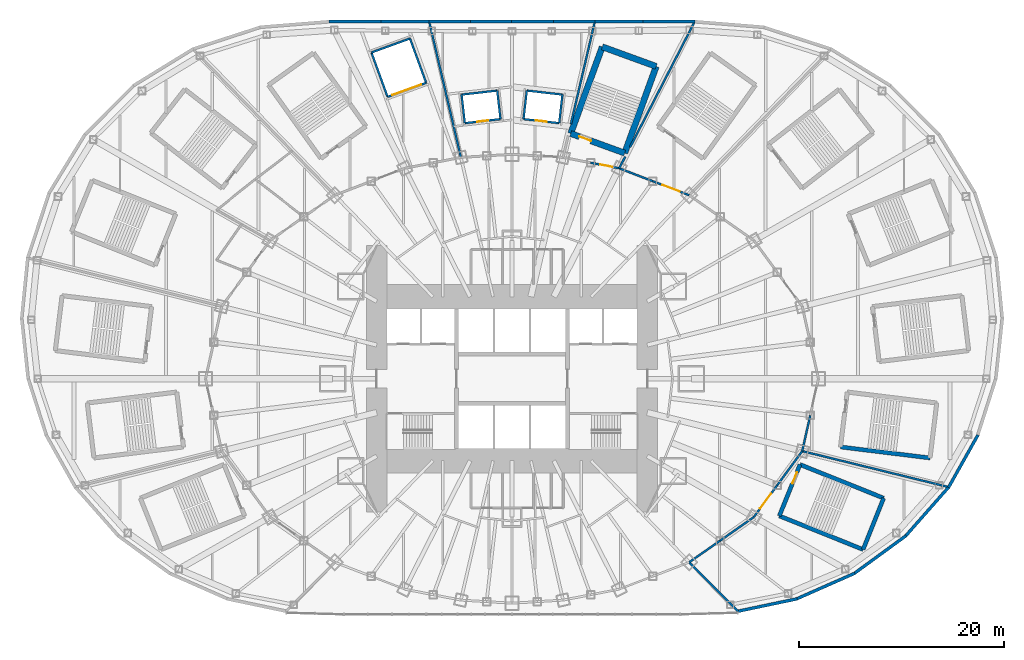
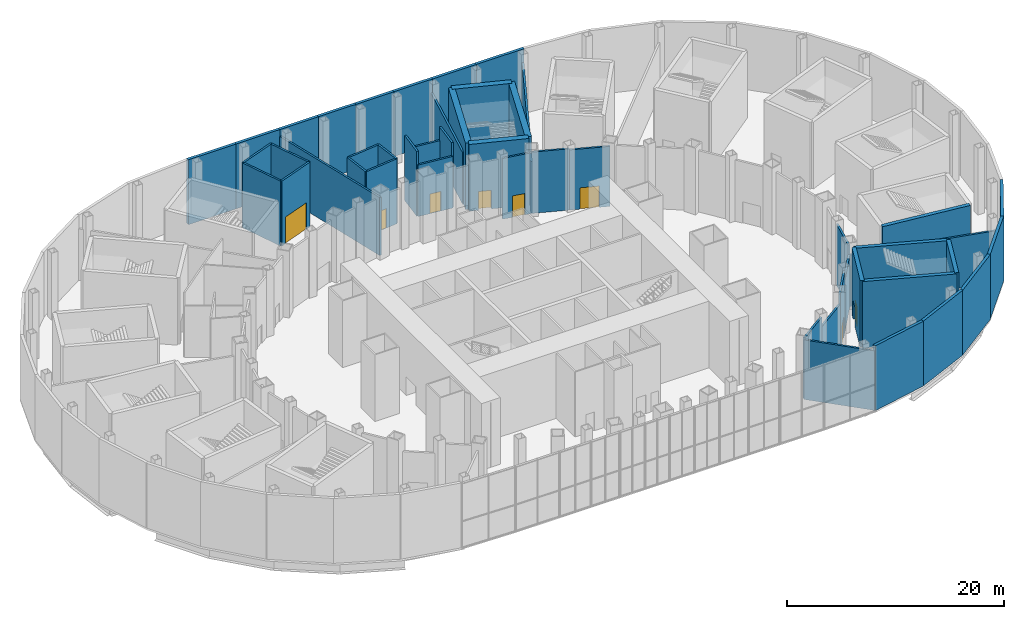
# One storey, part 16 of 73: 48 walls, 8 doors, 8 openings.
"""IFC4 building model written with IfcOpenShell, lengths in metres."""

from ifc_helpers import new_model, si_unit, direction, frame, frame_2d, origin, place, context, subcontext, project, spatial, rectangle, extrude, material, layer, layer_set, type_object, element, fill, save


model = new_model("IFC4")

# Units and contexts
model_context = context("Model", 3, precision=1e-05, world=origin(), true_north=direction((0.0, 1.0)))
body_context = subcontext(model_context, "Body", "Model", "MODEL_VIEW")
ifc_project = project(units=[si_unit("LENGTHUNIT", "METRE"), si_unit("AREAUNIT", "SQUARE_METRE"), si_unit("VOLUMEUNIT", "CUBIC_METRE"), si_unit("PLANEANGLEUNIT", "RADIAN"), si_unit("MASSUNIT", "GRAM", prefix="KILO")], contexts=[model_context])

# Site, building, storey
site_placement = place(None, origin())
site = spatial("IfcSite", under=ifc_project, at=site_placement, CompositionType="ELEMENT")
building_placement = place(site_placement, origin())
building = spatial("IfcBuilding", under=site, at=building_placement, Name="Lantaw Convention Tower", CompositionType="ELEMENT")
storey_placement = place(building_placement, frame((0.0, 0.0, 14.5)))
storey = spatial("IfcBuildingStorey", under=building, at=storey_placement, Name="L02", CompositionType="ELEMENT", Elevation=14.5)

# Walls
ifc_material_1 = material(Name="Concrete blockwork, fire rated", Category="masonry")
ifc_layer_1 = layer(ifc_material_1, 0.199951171875)
ifc_layer_set_1 = layer_set([ifc_layer_1], Name="Lift shaft wall 200 EI 120")
wall_type_1 = type_object("IfcWallType", Name="Lift shaft wall 200 EI 120", PredefinedType="SOLIDWALL", material=ifc_layer_set_1)
wall_1_placement = place(storey_placement, frame((4.602783203125, 24.939208984375, 0.0), z_axis=(0.0, 0.0, 1.0), x_axis=(0.113177712989, 0.993574760792, 0.0)))
element("IfcWall", 1, at=wall_1_placement, inside=storey, type_object=wall_type_1, Name="Lift shaft wall", PredefinedType="SOLIDWALL", context=body_context, shape_type="SweptSolid", body=[
    extrude(rectangle(XDim=2.800048828125, YDim=0.199951171875, at=frame_2d((1.39990234375, 0.0))), origin(), (0.0, 0.0, 1.0), 7.300048828125),
])
wall_2_placement = place(storey_placement, frame((4.919677734375, 27.72119140625, 0.0), z_axis=(0.0, 0.0, 1.0), x_axis=(-0.993571061716, 0.113210182053, 0.0)))
element("IfcWall", 2, at=wall_2_placement, inside=storey, type_object=wall_type_1, Name="Lift shaft wall", PredefinedType="SOLIDWALL", context=body_context, shape_type="SweptSolid", body=[
    extrude(rectangle(XDim=3.5, YDim=0.199951171875, at=frame_2d((1.75, 0.0))), origin(), (0.0, 0.0, 1.0), 5.800048828125),
])
wall_3_placement = place(storey_placement, frame((1.442138671875, 28.117431640625, 0.0), z_axis=(0.0, 0.0, 1.0), x_axis=(-0.113177712989, -0.993574760792, 0.0)))
element("IfcWall", 3, at=wall_3_placement, inside=storey, type_object=wall_type_1, Name="Lift shaft wall", PredefinedType="SOLIDWALL", context=body_context, shape_type="SweptSolid", body=[
    extrude(rectangle(XDim=2.800048828125, YDim=0.199951171875, at=frame_2d((1.39990234375, 0.0))), origin(), (0.0, 0.0, 1.0), 7.300048828125),
])

# Wall, opening, door
wall_4_placement = place(storey_placement, frame((1.125244140625, 25.33544921875, 0.0), z_axis=(0.0, 0.0, 1.0), x_axis=(0.993571061716, -0.113210182053, 0.0)))
wall_4 = element("IfcWall", 4, at=wall_4_placement, inside=storey, type_object=wall_type_1, Name="Lift shaft wall", PredefinedType="SOLIDWALL", context=body_context, shape_type="SweptSolid", body=[
    extrude(rectangle(XDim=3.5, YDim=0.199951171875, at=frame_2d((1.75, 0.0))), origin(), (0.0, 0.0, 1.0), 5.800048828125),
])
opening_1_placement = place(wall_4_placement, frame((1.199951171875, 0.0, 0.0)))
opening_1 = element("IfcOpeningElement", 5, at=opening_1_placement, cuts=wall_4, Name="Opening LDPL1", PredefinedType="OPENING", context=body_context, shape_type="SweptSolid", body=[
    extrude(rectangle(XDim=1.10009765625, YDim=2.199951171875, at=frame_2d((0.550048828125, 1.10009765625))), frame((0.0, 0.10986328125, 0.0), z_axis=(0.0, -1.0, 0.0), x_axis=(1.0, 0.0, 0.0)), (0.0, 0.0, 1.0), 0.219970703125),
])
ifc_material_2 = material(Name="Stainless steel", Category="steel")
door_type_1 = type_object("IfcDoorType", Name="Lift landing door 1100", OperationType="DOUBLE_DOOR_SLIDING", PredefinedType="DOOR", material=ifc_material_2)
door_1_placement = place(opening_1_placement, origin())
door_1 = element("IfcDoor", 6, at=door_1_placement, inside=storey, type_object=door_type_1, Name="Lift landing door PL1", OperationType="DOUBLE_DOOR_SLIDING", OverallHeight=2.199951171875, OverallWidth=1.10009765625, PredefinedType="DOOR", context=body_context, shape_type="SweptSolid", body=[
    extrude(rectangle(XDim=1.10009765625, YDim=2.199951171875, at=frame_2d((0.550048828125, 1.10009765625))), frame((0.0, 0.02490234375, 0.0), z_axis=(0.0, -1.0, 0.0), x_axis=(1.0, 0.0, 0.0)), (0.0, 0.0, 1.0), 0.050048828125),
])
fill(opening_1, door_1)

# Walls
wall_5_placement = place(storey_placement, frame((-1.125244140625, 25.33544921875, 0.0), z_axis=(0.0, 0.0, 1.0), x_axis=(-0.113177712989, 0.993574760792, 0.0)))
element("IfcWall", 7, at=wall_5_placement, inside=storey, type_object=wall_type_1, Name="Lift shaft wall", PredefinedType="SOLIDWALL", context=body_context, shape_type="SweptSolid", body=[
    extrude(rectangle(XDim=2.800048828125, YDim=0.199951171875, at=frame_2d((1.39990234375, 0.0))), origin(), (0.0, 0.0, 1.0), 7.300048828125),
])
wall_6_placement = place(storey_placement, frame((-1.442138671875, 28.117431640625, 0.0), z_axis=(0.0, 0.0, 1.0), x_axis=(-0.993571061716, -0.113210182053, 0.0)))
element("IfcWall", 8, at=wall_6_placement, inside=storey, type_object=wall_type_1, Name="Lift shaft wall", PredefinedType="SOLIDWALL", context=body_context, shape_type="SweptSolid", body=[
    extrude(rectangle(XDim=3.5, YDim=0.199951171875, at=frame_2d((1.75, 0.0))), origin(), (0.0, 0.0, 1.0), 7.300048828125),
])
wall_7_placement = place(storey_placement, frame((-4.919677734375, 27.72119140625, 0.0), z_axis=(0.0, 0.0, 1.0), x_axis=(0.113177712989, -0.993574760792, 0.0)))
element("IfcWall", 9, at=wall_7_placement, inside=storey, type_object=wall_type_1, Name="Lift shaft wall", PredefinedType="SOLIDWALL", context=body_context, shape_type="SweptSolid", body=[
    extrude(rectangle(XDim=2.800048828125, YDim=0.199951171875, at=frame_2d((1.39990234375, 0.0))), origin(), (0.0, 0.0, 1.0), 7.300048828125),
])

# Wall, opening, door
wall_8_placement = place(storey_placement, frame((-4.602783203125, 24.939208984375, 0.0), z_axis=(0.0, 0.0, 1.0), x_axis=(0.993571061716, 0.113210182053, 0.0)))
wall_8 = element("IfcWall", 10, at=wall_8_placement, inside=storey, type_object=wall_type_1, Name="Lift shaft wall", PredefinedType="SOLIDWALL", context=body_context, shape_type="SweptSolid", body=[
    extrude(rectangle(XDim=3.5, YDim=0.199951171875, at=frame_2d((1.75, 0.0))), origin(), (0.0, 0.0, 1.0), 7.300048828125),
])
opening_2_placement = place(wall_8_placement, frame((1.199951171875, 0.0, 0.0)))
opening_2 = element("IfcOpeningElement", 11, at=opening_2_placement, cuts=wall_8, Name="Opening LDPL2", PredefinedType="OPENING", context=body_context, shape_type="SweptSolid", body=[
    extrude(rectangle(XDim=1.10009765625, YDim=2.199951171875, at=frame_2d((0.550048828125, 1.10009765625))), frame((0.0, 0.10986328125, 0.0), z_axis=(0.0, -1.0, 0.0), x_axis=(1.0, 0.0, 0.0)), (0.0, 0.0, 1.0), 0.219970703125),
])
door_2_placement = place(opening_2_placement, origin())
door_2 = element("IfcDoor", 12, at=door_2_placement, inside=storey, type_object=door_type_1, Name="Lift landing door PL2", OperationType="DOUBLE_DOOR_SLIDING", OverallHeight=2.199951171875, OverallWidth=1.10009765625, PredefinedType="DOOR", context=body_context, shape_type="SweptSolid", body=[
    extrude(rectangle(XDim=1.10009765625, YDim=2.199951171875, at=frame_2d((0.550048828125, 1.10009765625))), frame((0.0, 0.02490234375, 0.0), z_axis=(0.0, -1.0, 0.0), x_axis=(1.0, 0.0, 0.0)), (0.0, 0.0, 1.0), 0.050048828125),
])
fill(opening_2, door_2)

# Walls
wall_9_placement = place(storey_placement, frame((-8.381103515625, 28.874755859375, 0.0), z_axis=(0.0, 0.0, 1.0), x_axis=(-0.342045591466, 0.93968335803, 0.0)))
element("IfcWall", 13, at=wall_9_placement, inside=storey, type_object=wall_type_1, Name="Lift shaft wall", PredefinedType="SOLIDWALL", context=body_context, shape_type="SweptSolid", body=[
    extrude(rectangle(XDim=4.600341796875, YDim=0.199951171875, at=frame_2d((2.30029296875, 0.0))), origin(), (0.0, 0.0, 1.0), 7.300048828125),
])
wall_10_placement = place(storey_placement, frame((-9.95458984375, 33.197509765625, 0.0), z_axis=(0.0, 0.0, 1.0), x_axis=(-0.939686455819, -0.342037080957, 0.0)))
element("IfcWall", 14, at=wall_10_placement, inside=storey, type_object=wall_type_1, Name="Lift shaft wall", PredefinedType="SOLIDWALL", context=body_context, shape_type="SweptSolid", body=[
    extrude(rectangle(XDim=4.0, YDim=0.199951171875, at=frame_2d((2.0, 0.0))), origin(), (0.0, 0.0, 1.0), 7.300048828125),
])
wall_11_placement = place(storey_placement, frame((-13.71337890625, 31.829345703125, 0.0), z_axis=(0.0, 0.0, 1.0), x_axis=(0.342062650202, -0.939677148459, 0.0)))
element("IfcWall", 15, at=wall_11_placement, inside=storey, type_object=wall_type_1, Name="Lift shaft wall", PredefinedType="SOLIDWALL", context=body_context, shape_type="SweptSolid", body=[
    extrude(rectangle(XDim=4.60009765625, YDim=0.199951171875, at=frame_2d((2.300048828125, 0.0))), origin(), (0.0, 0.0, 1.0), 7.300048828125),
])

# Wall, opening, door
wall_12_placement = place(storey_placement, frame((-12.139892578125, 27.5068359375, 0.0), z_axis=(0.0, 0.0, 1.0), x_axis=(0.939706071622, 0.341983185197, 0.0)))
wall_12 = element("IfcWall", 16, at=wall_12_placement, inside=storey, type_object=wall_type_1, Name="Lift shaft wall", PredefinedType="SOLIDWALL", context=body_context, shape_type="SweptSolid", body=[
    extrude(rectangle(XDim=4.0, YDim=0.199951171875, at=frame_2d((2.0, 0.0))), origin(), (0.0, 0.0, 1.0), 7.300048828125),
])
opening_3_placement = place(wall_12_placement, frame((0.5, 0.0, 0.0)))
opening_3 = element("IfcOpeningElement", 17, at=opening_3_placement, cuts=wall_12, Name="Opening LDGL1", PredefinedType="OPENING", context=body_context, shape_type="SweptSolid", body=[
    extrude(rectangle(XDim=3.0, YDim=3.0, at=frame_2d((1.5, 1.5))), frame((0.0, 0.10986328125, 0.0), z_axis=(0.0, -1.0, 0.0), x_axis=(1.0, 0.0, 0.0)), (0.0, 0.0, 1.0), 0.219970703125),
])
door_type_2 = type_object("IfcDoorType", Name="Lift landing door 3000", OperationType="DOUBLE_DOOR_SLIDING", PredefinedType="DOOR", material=ifc_material_2)
door_3_placement = place(opening_3_placement, origin())
door_3 = element("IfcDoor", 18, at=door_3_placement, inside=storey, type_object=door_type_2, Name="Lift landing door GL1", OperationType="DOUBLE_DOOR_SLIDING", OverallHeight=3.0, OverallWidth=3.0, PredefinedType="DOOR", context=body_context, shape_type="SweptSolid", body=[
    extrude(rectangle(XDim=3.0, YDim=3.0, at=frame_2d((1.5, 1.5))), frame((0.0, 0.02490234375, 0.0), z_axis=(0.0, -1.0, 0.0), x_axis=(1.0, 0.0, 0.0)), (0.0, 0.0, 1.0), 0.050048828125),
])
fill(opening_3, door_3)

# Walls
ifc_material_3 = material(Name="Precast concrete panel, pale aluminium rainscreen", Category="concrete")
ifc_layer_2 = layer(ifc_material_3, 0.300048828125)
ifc_layer_set_2 = layer_set([ifc_layer_2], Name="Podium external wall 300")
wall_type_2 = type_object("IfcWallType", Name="Podium external wall 300", PredefinedType="SOLIDWALL", material=ifc_layer_set_2)
wall_13_placement = place(storey_placement, frame((17.873291015625, 34.85009765625, 0.0), z_axis=(0.0, 0.0, 1.0), x_axis=(-1.0, 0.0, 0.0)))
element("IfcWall", 19, at=wall_13_placement, inside=storey, type_object=wall_type_2, Name="Podium facade wall", PredefinedType="SOLIDWALL", context=body_context, shape_type="SweptSolid", body=[
    extrude(rectangle(XDim=5.17431640625, YDim=0.300048828125, at=frame_2d((2.587158203125, 0.0))), origin(), (0.0, 0.0, 1.0), 7.300048828125),
])
wall_14_placement = place(storey_placement, frame((12.779052734375, 34.85009765625, 0.0), z_axis=(0.0, 0.0, 1.0), x_axis=(-1.0, 0.0, 0.0)))
element("IfcWall", 20, at=wall_14_placement, inside=storey, type_object=wall_type_2, Name="Podium facade wall", PredefinedType="SOLIDWALL", context=body_context, shape_type="SweptSolid", body=[
    extrude(rectangle(XDim=4.73876953125, YDim=0.300048828125, at=frame_2d((2.369384765625, 0.0))), origin(), (0.0, 0.0, 1.0), 7.300048828125),
])
wall_15_placement = place(storey_placement, frame((8.120361328125, 34.85009765625, 0.0), z_axis=(0.0, 0.0, 1.0), x_axis=(-1.0, 0.0, 0.0)))
element("IfcWall", 21, at=wall_15_placement, inside=storey, type_object=wall_type_2, Name="Podium facade wall", PredefinedType="SOLIDWALL", context=body_context, shape_type="SweptSolid", body=[
    extrude(rectangle(XDim=4.172607421875, YDim=0.300048828125, at=frame_2d((2.08642578125, 0.0))), origin(), (0.0, 0.0, 1.0), 7.300048828125),
])
for number, where, z_axis, x_axis, name in (
    (22, (4.02783203125, 34.85009765625, 0.0), (0.0, 0.0, 1.0), (-1.0, 0.0, 0.0), "Podium facade wall"),
    (23, (0.0400390625, 34.85009765625, 0.0), (0.0, 0.0, 1.0), (-1.0, 0.0, 0.0), "Podium facade wall"),
):
    element("IfcWall", number, at=place(storey_placement, frame(where, z_axis=z_axis, x_axis=x_axis)), inside=storey, type_object=wall_type_2, Name=name, PredefinedType="SOLIDWALL", context=body_context, shape_type="SweptSolid", body=[
        extrude(rectangle(XDim=4.06787109375, YDim=0.300048828125, at=frame_2d((2.033935546875, 0.0))), origin(), (0.0, 0.0, 1.0), 7.300048828125),
    ])
wall_16_placement = place(storey_placement, frame((-3.94775390625, 34.85009765625, 0.0), z_axis=(0.0, 0.0, 1.0), x_axis=(-1.0, 0.0, 0.0)))
element("IfcWall", 24, at=wall_16_placement, inside=storey, type_object=wall_type_2, Name="Podium facade wall", PredefinedType="SOLIDWALL", context=body_context, shape_type="SweptSolid", body=[
    extrude(rectangle(XDim=4.172607421875, YDim=0.300048828125, at=frame_2d((2.08642578125, 0.0))), origin(), (0.0, 0.0, 1.0), 7.300048828125),
])
wall_17_placement = place(storey_placement, frame((-8.040283203125, 34.85009765625, 0.0), z_axis=(0.0, 0.0, 1.0), x_axis=(-1.0, 0.0, 0.0)))
element("IfcWall", 25, at=wall_17_placement, inside=storey, type_object=wall_type_2, Name="Podium facade wall", PredefinedType="SOLIDWALL", context=body_context, shape_type="SweptSolid", body=[
    extrude(rectangle(XDim=4.73876953125, YDim=0.300048828125, at=frame_2d((2.369384765625, 0.0))), origin(), (0.0, 0.0, 1.0), 7.300048828125),
])
wall_18_placement = place(storey_placement, frame((-12.698974609375, 34.85009765625, 0.0), z_axis=(0.0, 0.0, 1.0), x_axis=(-1.0, 0.0, 0.0)))
element("IfcWall", 26, at=wall_18_placement, inside=storey, type_object=wall_type_2, Name="Podium facade wall", PredefinedType="SOLIDWALL", context=body_context, shape_type="SweptSolid", body=[
    extrude(rectangle(XDim=5.17431640625, YDim=0.300048828125, at=frame_2d((2.587158203125, 0.0))), origin(), (0.0, 0.0, 1.0), 7.300048828125),
])
wall_19_placement = place(storey_placement, frame((21.985107421875, -22.699951171875, 0.0), z_axis=(0.0, 0.0, 1.0), x_axis=(0.978625319268, 0.205651366364, 0.0)))
element("IfcWall", 27, at=wall_19_placement, inside=storey, type_object=wall_type_2, Name="Podium facade wall", PredefinedType="SOLIDWALL", context=body_context, shape_type="SweptSolid", body=[
    extrude(rectangle(XDim=5.9619140625, YDim=0.300048828125, at=frame_2d((2.98095703125, 0.0))), origin(), (0.0, 0.0, 1.0), 7.300048828125),
])
wall_20_placement = place(storey_placement, frame((27.714111328125, -21.5078125, 0.0), z_axis=(0.0, 0.0, 1.0), x_axis=(0.914855209389, 0.403782052416, 0.0)))
element("IfcWall", 28, at=wall_20_placement, inside=storey, type_object=wall_type_2, Name="Podium facade wall", PredefinedType="SOLIDWALL", context=body_context, shape_type="SweptSolid", body=[
    extrude(rectangle(XDim=6.271240234375, YDim=0.300048828125, at=frame_2d((3.1357421875, 0.0))), origin(), (0.0, 0.0, 1.0), 7.300048828125),
])
wall_21_placement = place(storey_placement, frame((33.354736328125, -19.03125, 0.0), z_axis=(0.0, 0.0, 1.0), x_axis=(0.807898511933, 0.589321639189, 0.0)))
element("IfcWall", 29, at=wall_21_placement, inside=storey, type_object=wall_type_2, Name="Podium facade wall", PredefinedType="SOLIDWALL", context=body_context, shape_type="SweptSolid", body=[
    extrude(rectangle(XDim=6.30859375, YDim=0.300048828125, at=frame_2d((3.154296875, 0.0))), origin(), (0.0, 0.0, 1.0), 7.300048828125),
])
wall_22_placement = place(storey_placement, frame((38.368408203125, -15.38916015625, 0.0), z_axis=(0.0, 0.0, 1.0), x_axis=(0.661196672464, 0.75021261008, 0.0)))
element("IfcWall", 30, at=wall_22_placement, inside=storey, type_object=wall_type_2, Name="Podium facade wall", PredefinedType="SOLIDWALL", context=body_context, shape_type="SweptSolid", body=[
    extrude(rectangle(XDim=6.48095703125, YDim=0.300048828125, at=frame_2d((3.240478515625, 0.0))), origin(), (0.0, 0.0, 1.0), 7.300048828125),
])
wall_23_placement = place(storey_placement, frame((42.58935546875, -10.61767578125, 0.0), z_axis=(0.0, 0.0, 1.0), x_axis=(0.489563544979, 0.871967622924, 0.0)))
element("IfcWall", 31, at=wall_23_placement, inside=storey, type_object=wall_type_2, Name="Podium facade wall", PredefinedType="SOLIDWALL", context=body_context, shape_type="SweptSolid", body=[
    extrude(rectangle(XDim=5.882568359375, YDim=0.300048828125, at=frame_2d((2.94140625, 0.0))), origin(), (0.0, 0.0, 1.0), 7.300048828125),
])

# Wall, opening, door
ifc_material_4 = material(Name="Concrete blockwork", Category="masonry")
ifc_layer_3 = layer(ifc_material_4, 0.199951171875)
ifc_layer_set_3 = layer_set([ifc_layer_3], Name="Podium partition 200")
wall_type_3 = type_object("IfcWallType", Name="Podium partition 200", PredefinedType="SOLIDWALL", material=ifc_layer_set_3)
wall_24_placement = place(storey_placement, frame((17.290771484375, 17.9052734375, 0.0), z_axis=(0.0, 0.0, 1.0), x_axis=(-0.933224646415, 0.359293416754, 0.0)))
wall_24 = element("IfcWall", 32, at=wall_24_placement, inside=storey, type_object=wall_type_3, Name="Podium partition 200", PredefinedType="SOLIDWALL", context=body_context, shape_type="SweptSolid", body=[
    extrude(rectangle(XDim=3.799072265625, YDim=0.199951171875, at=frame_2d((1.8994140625, 0.0))), origin(), (0.0, 0.0, 1.0), 6.76416015625),
])
opening_4_placement = place(wall_24_placement, frame((0.99951171875, 0.0, 0.0)))
opening_4 = element("IfcOpeningElement", 33, at=opening_4_placement, cuts=wall_24, Name="Opening L02.14", PredefinedType="OPENING", context=body_context, shape_type="SweptSolid", body=[
    extrude(rectangle(XDim=1.800048828125, YDim=2.39990234375, at=frame_2d((0.89990234375, 1.199951171875))), frame((0.0, 0.10986328125, 0.0), z_axis=(0.0, -1.0, 0.0), x_axis=(1.0, 0.0, 0.0)), (0.0, 0.0, 1.0), 0.219970703125),
])
ifc_material_5 = material(Name="Timber", Category="wood")
door_type_3 = type_object("IfcDoorType", Name="Hall double door 1800", OperationType="DOUBLE_DOOR_DOUBLE_SWING", PredefinedType="DOOR", material=ifc_material_5)
door_4_placement = place(opening_4_placement, origin())
door_4 = element("IfcDoor", 34, at=door_4_placement, inside=storey, type_object=door_type_3, Name="Ballroom servery door", OperationType="DOUBLE_DOOR_DOUBLE_SWING", OverallHeight=2.39990234375, OverallWidth=1.800048828125, PredefinedType="DOOR", context=body_context, shape_type="SweptSolid", body=[
    extrude(rectangle(XDim=1.800048828125, YDim=2.39990234375, at=frame_2d((0.89990234375, 1.199951171875))), frame((0.0, 0.02490234375, 0.0), z_axis=(0.0, -1.0, 0.0), x_axis=(1.0, 0.0, 0.0)), (0.0, 0.0, 1.0), 0.050048828125),
])
fill(opening_4, door_4)

# Wall
wall_25_placement = place(storey_placement, frame((13.745361328125, 19.270263671875, 0.0), z_axis=(0.0, 0.0, 1.0), x_axis=(-0.933241815012, 0.359248820058, 0.0)))
element("IfcWall", 35, at=wall_25_placement, inside=storey, type_object=wall_type_3, Name="Podium partition 200", PredefinedType="SOLIDWALL", context=body_context, shape_type="SweptSolid", body=[
    extrude(rectangle(XDim=3.517578125, YDim=0.199951171875, at=frame_2d((1.7587890625, 0.0))), origin(), (0.0, 0.0, 1.0), 6.896240234375),
])

# Wall, opening, door
wall_26_placement = place(storey_placement, frame((10.462646484375, 20.533935546875, 0.0), z_axis=(0.0, 0.0, 1.0), x_axis=(-0.98163593748, 0.190763954266, 0.0)))
wall_26 = element("IfcWall", 36, at=wall_26_placement, inside=storey, type_object=wall_type_3, Name="Podium partition 200", PredefinedType="SOLIDWALL", context=body_context, shape_type="SweptSolid", body=[
    extrude(rectangle(XDim=2.84375, YDim=0.199951171875, at=frame_2d((1.421875, 0.0))), origin(), (0.0, 0.0, 1.0), 6.837646484375),
])
opening_5_placement = place(wall_26_placement, frame((0.679931640625, 0.0, 0.0)))
opening_5 = element("IfcOpeningElement", 37, at=opening_5_placement, cuts=wall_26, Name="Opening L02.15", PredefinedType="OPENING", context=body_context, shape_type="SweptSolid", body=[
    extrude(rectangle(XDim=1.199951171875, YDim=2.39990234375, at=frame_2d((0.60009765625, 1.199951171875))), frame((0.0, 0.10986328125, 0.0), z_axis=(0.0, -1.0, 0.0), x_axis=(1.0, 0.0, 0.0)), (0.0, 0.0, 1.0), 0.219970703125),
])
door_type_4 = type_object("IfcDoorType", Name="Hall door 1200", OperationType="SINGLE_SWING_RIGHT", PredefinedType="DOOR", material=ifc_material_5)
door_5_placement = place(opening_5_placement, origin())
door_5 = element("IfcDoor", 38, at=door_5_placement, inside=storey, type_object=door_type_4, Name="Chair and table store door", OperationType="SINGLE_SWING_RIGHT", OverallHeight=2.39990234375, OverallWidth=1.199951171875, PredefinedType="DOOR", context=body_context, shape_type="SweptSolid", body=[
    extrude(rectangle(XDim=1.199951171875, YDim=2.39990234375, at=frame_2d((0.60009765625, 1.199951171875))), frame((0.0, 0.02490234375, 0.0), z_axis=(0.0, -1.0, 0.0), x_axis=(1.0, 0.0, 0.0)), (0.0, 0.0, 1.0), 0.050048828125),
])
fill(opening_5, door_5)

# Walls
wall_27_placement = place(storey_placement, frame((17.290771484375, -17.9052734375, 0.0), z_axis=(0.0, 0.0, 1.0), x_axis=(0.819431174801, 0.573177590075, 0.0)))
element("IfcWall", 39, at=wall_27_placement, inside=storey, type_object=wall_type_3, Name="Podium partition 200", PredefinedType="SOLIDWALL", context=body_context, shape_type="SweptSolid", body=[
    extrude(rectangle(XDim=3.68310546875, YDim=0.199951171875, at=frame_2d((1.841552734375, 0.0))), origin(), (0.0, 0.0, 1.0), 6.896240234375),
])
wall_28_placement = place(storey_placement, frame((20.308837890625, -15.794189453125, 0.0), z_axis=(0.0, 0.0, 1.0), x_axis=(0.81942291701, 0.57318939547, 0.0)))
element("IfcWall", 40, at=wall_28_placement, inside=storey, type_object=wall_type_3, Name="Podium partition 200", PredefinedType="SOLIDWALL", context=body_context, shape_type="SweptSolid", body=[
    extrude(rectangle(XDim=4.0224609375, YDim=0.199951171875, at=frame_2d((2.01123046875, 0.0))), origin(), (0.0, 0.0, 1.0), 5.800048828125),
])

# Wall, opening, door
wall_29_placement = place(storey_placement, frame((23.60498046875, -13.488525390625, 0.0), z_axis=(0.0, 0.0, 1.0), x_axis=(0.591286566758, 0.806461527893, 0.0)))
wall_29 = element("IfcWall", 41, at=wall_29_placement, inside=storey, type_object=wall_type_3, Name="Podium partition 200", PredefinedType="SOLIDWALL", context=body_context, shape_type="SweptSolid", body=[
    extrude(rectangle(XDim=3.843994140625, YDim=0.199951171875, at=frame_2d((1.921875, 0.0))), origin(), (0.0, 0.0, 1.0), 6.896240234375),
])
opening_6_placement = place(wall_29_placement, frame((1.022216796875, 0.0, 0.0)))
opening_6 = element("IfcOpeningElement", 42, at=opening_6_placement, cuts=wall_29, Name="Opening L02.11", PredefinedType="OPENING", context=body_context, shape_type="SweptSolid", body=[
    extrude(rectangle(XDim=1.800048828125, YDim=2.39990234375, at=frame_2d((0.89990234375, 1.199951171875))), frame((0.0, 0.10986328125, 0.0), z_axis=(0.0, -1.0, 0.0), x_axis=(1.0, 0.0, 0.0)), (0.0, 0.0, 1.0), 0.219970703125),
])
door_6_placement = place(opening_6_placement, origin())
door_6 = element("IfcDoor", 43, at=door_6_placement, inside=storey, type_object=door_type_3, Name="Banquet kitchen door", OperationType="DOUBLE_DOOR_DOUBLE_SWING", OverallHeight=2.39990234375, OverallWidth=1.800048828125, PredefinedType="DOOR", context=body_context, shape_type="SweptSolid", body=[
    extrude(rectangle(XDim=1.800048828125, YDim=2.39990234375, at=frame_2d((0.89990234375, 1.199951171875))), frame((0.0, 0.02490234375, 0.0), z_axis=(0.0, -1.0, 0.0), x_axis=(1.0, 0.0, 0.0)), (0.0, 0.0, 1.0), 0.050048828125),
])
fill(opening_6, door_6)

# Walls
wall_30_placement = place(storey_placement, frame((25.8779296875, -10.388427734375, 0.0), z_axis=(0.0, 0.0, 1.0), x_axis=(0.591255937291, 0.806483984105, 0.0)))
element("IfcWall", 44, at=wall_30_placement, inside=storey, type_object=wall_type_3, Name="Podium partition 200", PredefinedType="SOLIDWALL", context=body_context, shape_type="SweptSolid", body=[
    extrude(rectangle(XDim=4.126708984375, YDim=0.199951171875, at=frame_2d((2.0634765625, 0.0))), origin(), (0.0, 0.0, 1.0), 5.800048828125),
])
wall_31_placement = place(storey_placement, frame((28.31787109375, -7.060302734375, 0.0), z_axis=(0.0, 0.0, 1.0), x_axis=(0.218673326171, 0.97579812278, 0.0)))
element("IfcWall", 45, at=wall_31_placement, inside=storey, type_object=wall_type_3, Name="Podium partition 200", PredefinedType="SOLIDWALL", context=body_context, shape_type="SweptSolid", body=[
    extrude(rectangle(XDim=3.57373046875, YDim=0.199951171875, at=frame_2d((1.786865234375, 0.0))), origin(), (0.0, 0.0, 1.0), 6.896240234375),
])
wall_32_placement = place(storey_placement, frame((10.462646484375, 20.533935546875, 0.0), z_axis=(0.0, 0.0, 1.0), x_axis=(0.457464149219, 0.889228065335, 0.0)))
element("IfcWall", 46, at=wall_32_placement, inside=storey, type_object=wall_type_3, Name="Podium partition 200", PredefinedType="SOLIDWALL", context=body_context, shape_type="SweptSolid", body=[
    extrude(rectangle(XDim=1.282470703125, YDim=0.199951171875, at=frame_2d((0.64111328125, 0.0))), origin(), (0.0, 0.0, 1.0), 5.800048828125),
])
wall_33_placement = place(storey_placement, frame((11.52294921875, 22.594970703125, 0.0), z_axis=(0.0, 0.0, 1.0), x_axis=(0.457451679948, 0.889234480051, 0.0)))
element("IfcWall", 47, at=wall_33_placement, inside=storey, type_object=wall_type_3, Name="Podium partition 200", PredefinedType="SOLIDWALL", context=body_context, shape_type="SweptSolid", body=[
    extrude(rectangle(XDim=13.78173828125, YDim=0.199951171875, at=frame_2d((6.890869140625, 0.0))), origin(), (0.0, 0.0, 1.0), 5.800048828125),
])
wall_34_placement = place(storey_placement, frame((5.745361328125, 24.848876953125, 0.0), z_axis=(0.0, 0.0, 1.0), x_axis=(0.227353607936, 0.973812269875, 0.0)))
element("IfcWall", 48, at=wall_34_placement, inside=storey, type_object=wall_type_3, Name="Podium partition 200", PredefinedType="SOLIDWALL", context=body_context, shape_type="SweptSolid", body=[
    extrude(rectangle(XDim=10.270263671875, YDim=0.199951171875, at=frame_2d((5.13525390625, 0.0))), origin(), (0.0, 0.0, 1.0), 5.800048828125),
])
wall_35_placement = place(storey_placement, frame((-4.986328125, 21.59814453125, 0.0), z_axis=(0.0, 0.0, 1.0), x_axis=(-0.227360055616, 0.973810764528, 0.0)))
element("IfcWall", 49, at=wall_35_placement, inside=storey, type_object=wall_type_3, Name="Podium partition 200", PredefinedType="SOLIDWALL", context=body_context, shape_type="SweptSolid", body=[
    extrude(rectangle(XDim=13.6083984375, YDim=0.199951171875, at=frame_2d((6.80419921875, 0.0))), origin(), (0.0, 0.0, 1.0), 6.52783203125),
])
wall_36_placement = place(storey_placement, frame((17.290771484375, -17.9052734375, 0.0), z_axis=(0.0, 0.0, 1.0), x_axis=(0.704348079756, -0.709854761585, 0.0)))
element("IfcWall", 50, at=wall_36_placement, inside=storey, type_object=wall_type_3, Name="Podium partition 200", PredefinedType="SOLIDWALL", context=body_context, shape_type="SweptSolid", body=[
    extrude(rectangle(XDim=6.739013671875, YDim=0.199951171875, at=frame_2d((3.36962890625, 0.0))), origin(), (0.0, 0.0, 1.0), 6.697998046875),
])
wall_37_placement = place(storey_placement, frame((28.31787109375, -7.060302734375, 0.0), z_axis=(0.0, 0.0, 1.0), x_axis=(0.971190644534, -0.238303864783, 0.0)))
element("IfcWall", 51, at=wall_37_placement, inside=storey, type_object=wall_type_3, Name="Podium partition 200", PredefinedType="SOLIDWALL", context=body_context, shape_type="SweptSolid", body=[
    extrude(rectangle(XDim=14.722900390625, YDim=0.199951171875, at=frame_2d((7.361328125, 0.0))), origin(), (0.0, 0.0, 1.0), 5.800048828125),
])
ifc_material_6 = material(Name="Concrete C40/50, stair core", Category="concrete")
ifc_layer_4 = layer(ifc_material_6, 0.39990234375)
ifc_layer_set_4 = layer_set([ifc_layer_4], Name="Stair enclosure wall 400 EI 120")
wall_type_4 = type_object("IfcWallType", Name="Stair enclosure wall 400 EI 120", PredefinedType="SHEAR", material=ifc_layer_set_4)
wall_38_placement = place(storey_placement, frame((26.0869140625, -13.3818359375, 0.0), z_axis=(0.0, 0.0, 1.0), x_axis=(0.92801678004, -0.372538395288, 0.0)))
element("IfcWall", 52, at=wall_38_placement, inside=storey, type_object=wall_type_4, Name="Stair enclosure wall", PredefinedType="SHEAR", context=body_context, shape_type="SweptSolid", body=[
    extrude(rectangle(XDim=8.800048828125, YDim=0.39990234375, at=frame_2d((4.39990234375, 0.0))), origin(), (0.0, 0.0, 1.0), 7.5),
])
wall_39_placement = place(storey_placement, frame((34.25341796875, -16.66015625, 0.0), z_axis=(0.0, 0.0, 1.0), x_axis=(0.372544066459, 0.928014503414, 0.0)))
element("IfcWall", 53, at=wall_39_placement, inside=storey, type_object=wall_type_4, Name="Stair enclosure wall", PredefinedType="SHEAR", context=body_context, shape_type="SweptSolid", body=[
    extrude(rectangle(XDim=5.39990234375, YDim=0.39990234375, at=frame_2d((2.699951171875, 0.0))), origin(), (0.0, 0.0, 1.0), 7.5),
])
wall_40_placement = place(storey_placement, frame((36.26513671875, -11.64892578125, 0.0), z_axis=(0.0, 0.0, 1.0), x_axis=(-0.928007188331, 0.372562287955, 0.0)))
element("IfcWall", 54, at=wall_40_placement, inside=storey, type_object=wall_type_4, Name="Stair enclosure wall", PredefinedType="SHEAR", context=body_context, shape_type="SweptSolid", body=[
    extrude(rectangle(XDim=8.800048828125, YDim=0.39990234375, at=frame_2d((4.39990234375, 0.0))), origin(), (0.0, 0.0, 1.0), 7.5),
])

# Wall, opening, door
wall_41_placement = place(storey_placement, frame((28.0986328125, -8.370361328125, 0.0), z_axis=(0.0, 0.0, 1.0), x_axis=(-0.372528436202, -0.928020777904, 0.0)))
wall_41 = element("IfcWall", 55, at=wall_41_placement, inside=storey, type_object=wall_type_4, Name="Stair enclosure wall", PredefinedType="SHEAR", context=body_context, shape_type="SweptSolid", body=[
    extrude(rectangle(XDim=5.400146484375, YDim=0.39990234375, at=frame_2d((2.7001953125, 0.0))), origin(), (0.0, 0.0, 1.0), 7.5),
])
opening_7_placement = place(wall_41_placement, frame((0.800048828125, 0.0, 0.0)))
opening_7 = element("IfcOpeningElement", 56, at=opening_7_placement, cuts=wall_41, Name="Opening L02.P12", PredefinedType="OPENING", context=body_context, shape_type="SweptSolid", body=[
    extrude(rectangle(XDim=1.199951171875, YDim=2.10009765625, at=frame_2d((0.60009765625, 1.050048828125))), frame((0.0, 0.2099609375, 0.0), z_axis=(0.0, -1.0, 0.0), x_axis=(1.0, 0.0, 0.0)), (0.0, 0.0, 1.0), 0.419921875),
])
ifc_material_7 = material(Name="Steel, fire rated", Category="steel")
door_type_5 = type_object("IfcDoorType", Name="Stair door FD90", OperationType="SINGLE_SWING_RIGHT", PredefinedType="DOOR", material=ifc_material_7)
door_7_placement = place(opening_7_placement, origin())
door_7 = element("IfcDoor", 57, at=door_7_placement, inside=storey, type_object=door_type_5, Name="Exit stair door", OperationType="SINGLE_SWING_RIGHT", OverallHeight=2.10009765625, OverallWidth=1.199951171875, PredefinedType="DOOR", context=body_context, shape_type="SweptSolid", body=[
    extrude(rectangle(XDim=1.199951171875, YDim=2.10009765625, at=frame_2d((0.60009765625, 1.050048828125))), frame((0.0, 0.02490234375, 0.0), z_axis=(0.0, -1.0, 0.0), x_axis=(1.0, 0.0, 0.0)), (0.0, 0.0, 1.0), 0.050048828125),
])
fill(opening_7, door_7)

# Walls
wall_42_placement = place(storey_placement, frame((32.050537109375, -6.655517578125, 0.0), z_axis=(0.0, 0.0, 1.0), x_axis=(0.992545280606, -0.121876437212, 0.0)))
element("IfcWall", 58, at=wall_42_placement, inside=storey, type_object=wall_type_4, Name="Stair enclosure wall", PredefinedType="SHEAR", context=body_context, shape_type="SweptSolid", body=[
    extrude(rectangle(XDim=8.800048828125, YDim=0.39990234375, at=frame_2d((4.39990234375, 0.0))), origin(), (0.0, 0.0, 1.0), 7.5),
])
ifc_layer_5 = layer(ifc_material_6, 0.60009765625)
ifc_layer_set_5 = layer_set([ifc_layer_5], Name="Stair enclosure wall 600 EI 120")
wall_type_5 = type_object("IfcWallType", Name="Stair enclosure wall 600 EI 120", PredefinedType="SHEAR", material=ifc_layer_set_5)
wall_43_placement = place(storey_placement, frame((10.9921875, 22.01416015625, 0.0), z_axis=(0.0, 0.0, 1.0), x_axis=(0.342013127703, 0.939695174234, 0.0)))
element("IfcWall", 59, at=wall_43_placement, inside=storey, type_object=wall_type_5, Name="Stair enclosure wall", PredefinedType="SHEAR", context=body_context, shape_type="SweptSolid", body=[
    extrude(rectangle(XDim=9.0, YDim=0.60009765625, at=frame_2d((4.5, 0.0))), origin(), (0.0, 0.0, 1.0), 7.5),
])
wall_44_placement = place(storey_placement, frame((14.0703125, 30.471435546875, 0.0), z_axis=(0.0, 0.0, 1.0), x_axis=(-0.939692822968, 0.342019587834, 0.0)))
element("IfcWall", 60, at=wall_44_placement, inside=storey, type_object=wall_type_5, Name="Stair enclosure wall", PredefinedType="SHEAR", context=body_context, shape_type="SweptSolid", body=[
    extrude(rectangle(XDim=5.599853515625, YDim=0.60009765625, at=frame_2d((2.7998046875, 0.0))), origin(), (0.0, 0.0, 1.0), 7.5),
])
wall_45_placement = place(storey_placement, frame((8.80810546875, 32.38671875, 0.0), z_axis=(0.0, 0.0, 1.0), x_axis=(-0.3420218461, -0.939692001025, 0.0)))
element("IfcWall", 61, at=wall_45_placement, inside=storey, type_object=wall_type_5, Name="Stair enclosure wall", PredefinedType="SHEAR", context=body_context, shape_type="SweptSolid", body=[
    extrude(rectangle(XDim=8.999755859375, YDim=0.60009765625, at=frame_2d((4.5, 0.0))), origin(), (0.0, 0.0, 1.0), 7.5),
])

# Wall, opening, door
wall_46_placement = place(storey_placement, frame((5.72998046875, 23.9296875, 0.0), z_axis=(0.0, 0.0, 1.0), x_axis=(0.939678810556, -0.342058084236, 0.0)))
wall_46 = element("IfcWall", 62, at=wall_46_placement, inside=storey, type_object=wall_type_5, Name="Stair enclosure wall", PredefinedType="SHEAR", context=body_context, shape_type="SweptSolid", body=[
    extrude(rectangle(XDim=5.60009765625, YDim=0.60009765625, at=frame_2d((2.800048828125, 0.0))), origin(), (0.0, 0.0, 1.0), 7.5),
])
opening_8_placement = place(wall_46_placement, frame((0.89990234375, 0.0, 0.0)))
opening_8 = element("IfcOpeningElement", 63, at=opening_8_placement, cuts=wall_46, Name="Opening L02.P5", PredefinedType="OPENING", context=body_context, shape_type="SweptSolid", body=[
    extrude(rectangle(XDim=1.199951171875, YDim=2.10009765625, at=frame_2d((0.60009765625, 1.050048828125))), frame((0.0, 0.31005859375, 0.0), z_axis=(0.0, -1.0, 0.0), x_axis=(1.0, 0.0, 0.0)), (0.0, 0.0, 1.0), 0.6201171875),
])
door_8_placement = place(opening_8_placement, origin())
door_8 = element("IfcDoor", 64, at=door_8_placement, inside=storey, type_object=door_type_5, Name="Exit stair door", OperationType="SINGLE_SWING_RIGHT", OverallHeight=2.10009765625, OverallWidth=1.199951171875, PredefinedType="DOOR", context=body_context, shape_type="SweptSolid", body=[
    extrude(rectangle(XDim=1.199951171875, YDim=2.10009765625, at=frame_2d((0.60009765625, 1.050048828125))), frame((0.0, 0.02490234375, 0.0), z_axis=(0.0, -1.0, 0.0), x_axis=(1.0, 0.0, 0.0)), (0.0, 0.0, 1.0), 0.050048828125),
])
fill(opening_8, door_8)

save(model, "model.ifc")
